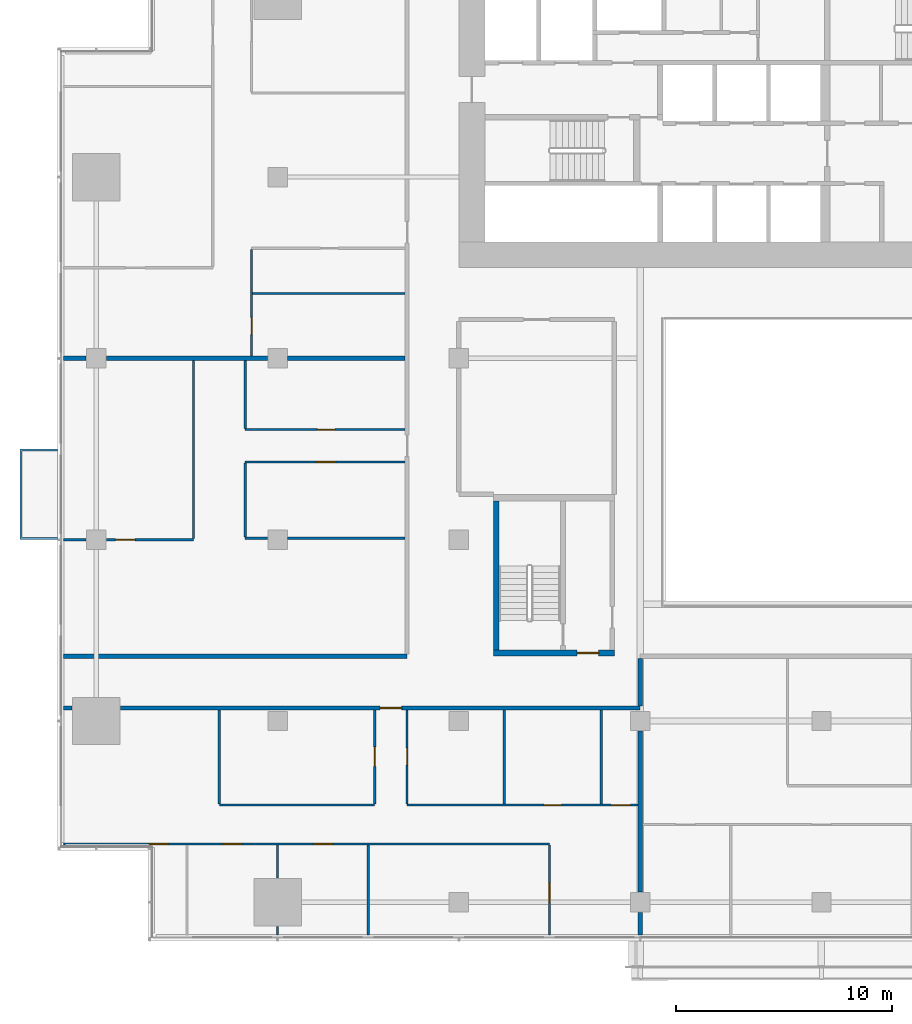
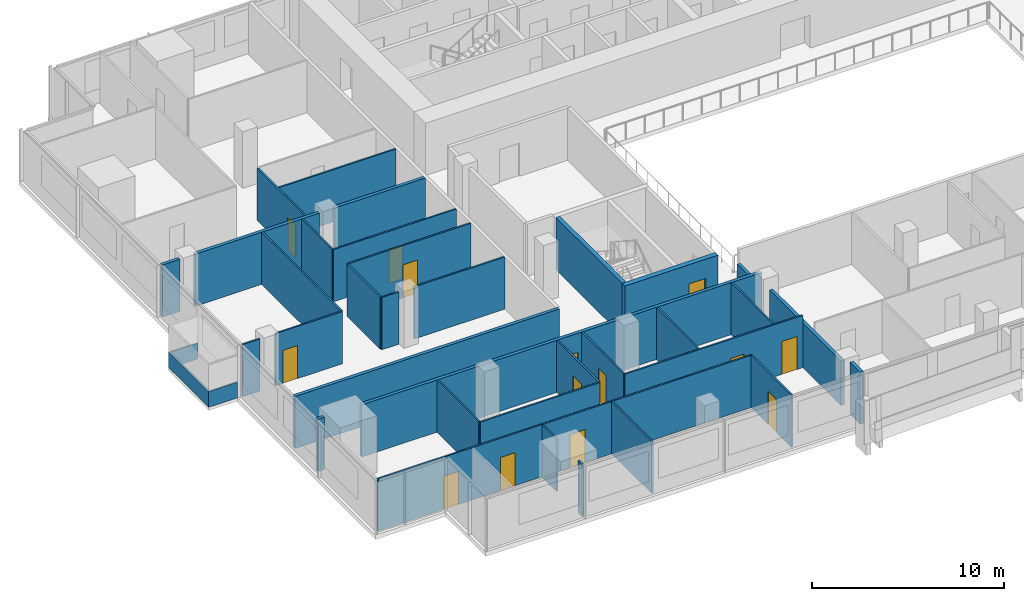
# One storey, part 17 of 26: 35 walls, 14 doors, 14 openings.
"""IFC4 building model written with IfcOpenShell, lengths in metres."""

from ifc_helpers import new_model, si_unit, direction, frame, frame_2d, origin, place, context, subcontext, project, spatial, polyline, rectangle, outline, extrude, material, layer, layer_set, type_object, element, fill, save


model = new_model("IFC4")

# Units and contexts
model_context = context("Model", 3, precision=1e-05, world=origin(), true_north=direction((0.0, 1.0)))
body_context = subcontext(model_context, "Body", "Model", "MODEL_VIEW")
ifc_project = project(units=[si_unit("LENGTHUNIT", "METRE"), si_unit("AREAUNIT", "SQUARE_METRE"), si_unit("VOLUMEUNIT", "CUBIC_METRE"), si_unit("PLANEANGLEUNIT", "RADIAN"), si_unit("MASSUNIT", "GRAM", prefix="KILO")], contexts=[model_context])

# Site, building, storey
site_placement = place(None, origin())
site = spatial("IfcSite", under=ifc_project, at=site_placement, CompositionType="ELEMENT")
building_placement = place(site_placement, origin())
building = spatial("IfcBuilding", under=site, at=building_placement, Name="Saffron Gate Tower", CompositionType="ELEMENT")
storey_placement = place(building_placement, frame((0.0, 0.0, 62.39990234375)))
storey = spatial("IfcBuildingStorey", under=building, at=storey_placement, Name="L14", CompositionType="ELEMENT", Elevation=62.39990234375)

# Wall
ifc_material_1 = material(Name="Concrete C70", Category="concrete")
ifc_layer_1 = layer(ifc_material_1, 0.25)
ifc_layer_set_1 = layer_set([ifc_layer_1], Name="CW2 RC core wall 250 C70")
wall_type_1 = type_object("IfcWallType", Name="CW2 RC core wall 250 C70", PredefinedType="SOLIDWALL", material=ifc_layer_set_1)
wall_1_placement = place(storey_placement, frame((68.324951171875, 43.5, 0.0), z_axis=(0.0, 0.0, 1.0), x_axis=(0.0, 1.0, 0.0)))
element("IfcWall", 1, at=wall_1_placement, inside=storey, type_object=wall_type_1, Name="Wall CW2-L14-D-2", PredefinedType="SOLIDWALL", context=body_context, shape_type="SweptSolid", body=[
    extrude(rectangle(XDim=6.89990234375, YDim=0.25, at=frame_2d((3.449951171875, 0.0))), origin(), (0.0, 0.0, 1.0), 3.320068359375),
])

# Wall, opening, door
ifc_layer_2 = layer(ifc_material_1, 0.300048828125)
ifc_layer_set_2 = layer_set([ifc_layer_2], Name="CW5 RC core wall 300 C70")
wall_type_2 = type_object("IfcWallType", Name="CW5 RC core wall 300 C70", PredefinedType="SOLIDWALL", material=ifc_layer_set_2)
wall_2_placement = place(storey_placement, frame((68.199951171875, 43.35009765625, 0.0), z_axis=(0.0, 0.0, 1.0), x_axis=(1.0, 0.0, 0.0)))
wall_2 = element("IfcWall", 2, at=wall_2_placement, inside=storey, type_object=wall_type_2, Name="Wall CW5-L14-D-1", PredefinedType="SOLIDWALL", context=body_context, shape_type="SweptSolid", body=[
    extrude(rectangle(XDim=5.60009765625, YDim=0.300048828125, at=frame_2d((2.800048828125, 0.0))), origin(), (0.0, 0.0, 1.0), 3.320068359375),
])
opening_1_placement = place(wall_2_placement, frame((3.875, 0.0, 0.0)))
opening_1 = element("IfcOpeningElement", 3, at=opening_1_placement, cuts=wall_2, Name="Opening CR-18", PredefinedType="OPENING", context=body_context, shape_type="SweptSolid", body=[
    extrude(rectangle(XDim=1.0, YDim=2.10009765625, at=frame_2d((0.5, 1.050048828125))), frame((0.0, 0.16015625, 0.0), z_axis=(0.0, -1.0, 0.0), x_axis=(1.0, 0.0, 0.0)), (0.0, 0.0, 1.0), 0.320068359375),
])
ifc_material_2 = material(Name="Steel fire door set", Category="steel")
door_type_1 = type_object("IfcDoorType", Name="CD4 Lobby door 1000x2100 EI 120", OperationType="NOTDEFINED", PredefinedType="DOOR", material=ifc_material_2)
door_1_placement = place(opening_1_placement, origin())
door_1 = element("IfcDoor", 4, at=door_1_placement, inside=storey, type_object=door_type_1, Name="DOOR CR-18", OperationType="SINGLE_SWING_RIGHT", OverallHeight=2.10009765625, OverallWidth=1.0, PredefinedType="DOOR", context=body_context, shape_type="SweptSolid", body=[
    extrude(rectangle(XDim=1.0, YDim=2.10009765625, at=frame_2d((0.5, 1.050048828125))), frame((0.0, 0.02490234375, 0.0), z_axis=(0.0, -1.0, 0.0), x_axis=(1.0, 0.0, 0.0)), (0.0, 0.0, 1.0), 0.050048828125),
])
fill(opening_1, door_1)

# Wall, openings, doors
ifc_material_3 = material(Name="Plasterboard on steel studs", Category="steel")
ifc_layer_3 = layer(ifc_material_3, 0.10009765625)
ifc_layer_set_3 = layer_set([ifc_layer_3], Name="PW1 Partition 100")
wall_type_3 = type_object("IfcWallType", Name="PW1 Partition 100", PredefinedType="PARTITIONING", material=ifc_layer_set_3)
wall_3_placement = place(storey_placement, frame((70.800048828125, 34.5, 0.0), z_axis=(0.0, 0.0, 1.0), x_axis=(-1.0, 0.0, 0.0)))
wall_3 = element("IfcWall", 5, at=wall_3_placement, inside=storey, type_object=wall_type_3, Name="Partition A3-1", PredefinedType="PARTITIONING", context=body_context, shape_type="SweptSolid", body=[
    extrude(rectangle(XDim=22.52001953125, YDim=0.10009765625, at=frame_2d((11.260009765625, 0.0))), origin(), (0.0, 0.0, 1.0), 3.320068359375),
])
opening_2_placement = place(wall_3_placement, frame((10.050048828125, 0.0, 0.0)))
opening_2 = element("IfcOpeningElement", 6, at=opening_2_placement, cuts=wall_3, Name="Opening A3-10", PredefinedType="OPENING", context=body_context, shape_type="SweptSolid", body=[
    extrude(rectangle(XDim=0.89990234375, YDim=2.10009765625, at=frame_2d((0.449951171875, 1.050048828125))), frame((0.0, 0.06005859375, 0.0), z_axis=(0.0, -1.0, 0.0), x_axis=(1.0, 0.0, 0.0)), (0.0, 0.0, 1.0), 0.1201171875),
])
opening_3_placement = place(wall_3_placement, frame((14.25, 0.0, 0.0)))
opening_3 = element("IfcOpeningElement", 7, at=opening_3_placement, cuts=wall_3, Name="Opening A3-9", PredefinedType="OPENING", context=body_context, shape_type="SweptSolid", body=[
    extrude(rectangle(XDim=0.89990234375, YDim=2.10009765625, at=frame_2d((0.449951171875, 1.050048828125))), frame((0.0, 0.06005859375, 0.0), z_axis=(0.0, -1.0, 0.0), x_axis=(1.0, 0.0, 0.0)), (0.0, 0.0, 1.0), 0.1201171875),
])
opening_4_placement = place(wall_3_placement, frame((17.65380859375, 0.0, 0.0)))
opening_4 = element("IfcOpeningElement", 8, at=opening_4_placement, cuts=wall_3, Name="Opening A3-8", PredefinedType="OPENING", context=body_context, shape_type="SweptSolid", body=[
    extrude(rectangle(XDim=0.89990234375, YDim=2.10009765625, at=frame_2d((0.449951171875, 1.050048828125))), frame((0.0, 0.06005859375, 0.0), z_axis=(0.0, -1.0, 0.0), x_axis=(1.0, 0.0, 0.0)), (0.0, 0.0, 1.0), 0.1201171875),
])
ifc_material_4 = material(Name="Timber door set", Category="wood")
door_type_2 = type_object("IfcDoorType", Name="RD1 Room door 900x2100", OperationType="NOTDEFINED", PredefinedType="DOOR", material=ifc_material_4)
door_2_placement = place(opening_2_placement, origin())
door_2 = element("IfcDoor", 9, at=door_2_placement, inside=storey, type_object=door_type_2, Name="Door A3-10", OperationType="SINGLE_SWING_RIGHT", OverallHeight=2.10009765625, OverallWidth=0.89990234375, PredefinedType="DOOR", context=body_context, shape_type="SweptSolid", body=[
    extrude(rectangle(XDim=0.89990234375, YDim=2.10009765625, at=frame_2d((0.449951171875, 1.050048828125))), frame((0.0, 0.02490234375, 0.0), z_axis=(0.0, -1.0, 0.0), x_axis=(1.0, 0.0, 0.0)), (0.0, 0.0, 1.0), 0.050048828125),
])
fill(opening_2, door_2)
door_3_placement = place(opening_3_placement, origin())
door_3 = element("IfcDoor", 10, at=door_3_placement, inside=storey, type_object=door_type_2, Name="Door A3-9", OperationType="SINGLE_SWING_RIGHT", OverallHeight=2.10009765625, OverallWidth=0.89990234375, PredefinedType="DOOR", context=body_context, shape_type="SweptSolid", body=[
    extrude(rectangle(XDim=0.89990234375, YDim=2.10009765625, at=frame_2d((0.449951171875, 1.050048828125))), frame((0.0, 0.02490234375, 0.0), z_axis=(0.0, -1.0, 0.0), x_axis=(1.0, 0.0, 0.0)), (0.0, 0.0, 1.0), 0.050048828125),
])
fill(opening_3, door_3)
door_4_placement = place(opening_4_placement, origin())
door_4 = element("IfcDoor", 11, at=door_4_placement, inside=storey, type_object=door_type_2, Name="Door A3-8", OperationType="SINGLE_SWING_LEFT", OverallHeight=2.10009765625, OverallWidth=0.89990234375, PredefinedType="DOOR", context=body_context, shape_type="SweptSolid", body=[
    extrude(rectangle(XDim=0.89990234375, YDim=2.10009765625, at=frame_2d((0.449951171875, 1.050048828125))), frame((0.0, 0.02490234375, 0.0), z_axis=(0.0, -1.0, 0.0), x_axis=(1.0, 0.0, 0.0)), (0.0, 0.0, 1.0), 0.050048828125),
])
fill(opening_4, door_4)

# Wall
wall_4_placement = place(storey_placement, frame((55.5, 36.300048828125, 0.0), z_axis=(0.0, 0.0, 1.0), x_axis=(1.0, 0.0, 0.0)))
element("IfcWall", 12, at=wall_4_placement, inside=storey, type_object=wall_type_3, Name="Partition A3-5", PredefinedType="PARTITIONING", context=body_context, shape_type="SweptSolid", body=[
    extrude(rectangle(XDim=7.199951171875, YDim=0.10009765625, at=frame_2d((3.60009765625, 0.0))), origin(), (0.0, 0.0, 1.0), 3.320068359375),
])

# Wall, openings, doors
wall_5_placement = place(storey_placement, frame((64.199951171875, 36.300048828125, 0.0), z_axis=(0.0, 0.0, 1.0), x_axis=(1.0, 0.0, 0.0)))
wall_5 = element("IfcWall", 13, at=wall_5_placement, inside=storey, type_object=wall_type_3, Name="Partition A3-6", PredefinedType="PARTITIONING", context=body_context, shape_type="SweptSolid", body=[
    extrude(rectangle(XDim=10.699951171875, YDim=0.10009765625, at=frame_2d((5.35009765625, 0.0))), origin(), (0.0, 0.0, 1.0), 3.320068359375),
])
opening_5_placement = place(wall_5_placement, frame((6.35009765625, 0.0, 0.0)))
opening_5 = element("IfcOpeningElement", 14, at=opening_5_placement, cuts=wall_5, Name="Opening A3-38", PredefinedType="OPENING", context=body_context, shape_type="SweptSolid", body=[
    extrude(rectangle(XDim=0.800048828125, YDim=2.10009765625, at=frame_2d((0.39990234375, 1.050048828125))), frame((0.0, 0.06005859375, 0.0), z_axis=(0.0, -1.0, 0.0), x_axis=(1.0, 0.0, 0.0)), (0.0, 0.0, 1.0), 0.1201171875),
])
opening_6_placement = place(wall_5_placement, frame((9.449951171875, 0.0, 0.0)))
opening_6 = element("IfcOpeningElement", 15, at=opening_6_placement, cuts=wall_5, Name="Opening A3-13", PredefinedType="OPENING", context=body_context, shape_type="SweptSolid", body=[
    extrude(rectangle(XDim=0.89990234375, YDim=2.10009765625, at=frame_2d((0.449951171875, 1.050048828125))), frame((0.0, 0.06005859375, 0.0), z_axis=(0.0, -1.0, 0.0), x_axis=(1.0, 0.0, 0.0)), (0.0, 0.0, 1.0), 0.1201171875),
])
door_5_placement = place(opening_6_placement, origin())
door_5 = element("IfcDoor", 16, at=door_5_placement, inside=storey, type_object=door_type_2, Name="Door A3-13", OperationType="SINGLE_SWING_RIGHT", OverallHeight=2.10009765625, OverallWidth=0.89990234375, PredefinedType="DOOR", context=body_context, shape_type="SweptSolid", body=[
    extrude(rectangle(XDim=0.89990234375, YDim=2.10009765625, at=frame_2d((0.449951171875, 1.050048828125))), frame((0.0, 0.02490234375, 0.0), z_axis=(0.0, -1.0, 0.0), x_axis=(1.0, 0.0, 0.0)), (0.0, 0.0, 1.0), 0.050048828125),
])
fill(opening_6, door_5)
door_type_3 = type_object("IfcDoorType", Name="RD2 Bathroom door 800x2100", OperationType="NOTDEFINED", PredefinedType="DOOR", material=ifc_material_4)
door_6_placement = place(opening_5_placement, origin())
door_6 = element("IfcDoor", 17, at=door_6_placement, inside=storey, type_object=door_type_3, Name="Door A3-38", OperationType="SINGLE_SWING_LEFT", OverallHeight=2.10009765625, OverallWidth=0.800048828125, PredefinedType="DOOR", context=body_context, shape_type="SweptSolid", body=[
    extrude(rectangle(XDim=0.800048828125, YDim=2.10009765625, at=frame_2d((0.39990234375, 1.050048828125))), frame((0.0, 0.02490234375, 0.0), z_axis=(0.0, -1.0, 0.0), x_axis=(1.0, 0.0, 0.0)), (0.0, 0.0, 1.0), 0.050048828125),
])
fill(opening_5, door_6)

# Wall
wall_6_placement = place(storey_placement, frame((48.280029296875, 48.60009765625, 0.0), z_axis=(0.0, 0.0, 1.0), x_axis=(1.0, 0.0, 0.0)))
element("IfcWall", 18, at=wall_6_placement, inside=storey, type_object=wall_type_3, Name="Partition A3-19", PredefinedType="PARTITIONING", context=body_context, shape_type="SweptSolid", body=[
    extrude(rectangle(XDim=1.050048828125, YDim=0.10009765625, at=frame_2d((0.52490234375, 0.0))), origin(), (0.0, 0.0, 1.0), 3.320068359375),
])

# Wall, opening, door
wall_7_placement = place(storey_placement, frame((50.27001953125, 48.60009765625, 0.0), z_axis=(0.0, 0.0, 1.0), x_axis=(1.0, 0.0, 0.0)))
wall_7 = element("IfcWall", 19, at=wall_7_placement, inside=storey, type_object=wall_type_3, Name="Partition A3-20", PredefinedType="PARTITIONING", context=body_context, shape_type="SweptSolid", body=[
    extrude(rectangle(XDim=4.030029296875, YDim=0.10009765625, at=frame_2d((2.01513671875, 0.0))), origin(), (0.0, 0.0, 1.0), 3.320068359375),
])
opening_7_placement = place(wall_7_placement, frame((0.429931640625, 0.0, 0.0)))
opening_7 = element("IfcOpeningElement", 20, at=opening_7_placement, cuts=wall_7, Name="Opening A3-25", PredefinedType="OPENING", context=body_context, shape_type="SweptSolid", body=[
    extrude(rectangle(XDim=0.89990234375, YDim=2.10009765625, at=frame_2d((0.449951171875, 1.050048828125))), frame((0.0, 0.06005859375, 0.0), z_axis=(0.0, -1.0, 0.0), x_axis=(1.0, 0.0, 0.0)), (0.0, 0.0, 1.0), 0.1201171875),
])
door_7_placement = place(opening_7_placement, origin())
door_7 = element("IfcDoor", 21, at=door_7_placement, inside=storey, type_object=door_type_2, Name="Door A3-25", OperationType="SINGLE_SWING_LEFT", OverallHeight=2.10009765625, OverallWidth=0.89990234375, PredefinedType="DOOR", context=body_context, shape_type="SweptSolid", body=[
    extrude(rectangle(XDim=0.89990234375, YDim=2.10009765625, at=frame_2d((0.449951171875, 1.050048828125))), frame((0.0, 0.02490234375, 0.0), z_axis=(0.0, -1.0, 0.0), x_axis=(1.0, 0.0, 0.0)), (0.0, 0.0, 1.0), 0.050048828125),
])
fill(opening_7, door_7)

# Walls
wall_8_placement = place(storey_placement, frame((56.699951171875, 48.666748046875, 0.0), z_axis=(0.0, 0.0, 1.0), x_axis=(1.0, 0.0, 0.0)))
element("IfcWall", 22, at=wall_8_placement, inside=storey, type_object=wall_type_3, Name="Partition A3-23", PredefinedType="PARTITIONING", context=body_context, shape_type="SweptSolid", body=[
    extrude(rectangle(XDim=1.030029296875, YDim=0.10009765625, at=frame_2d((0.51513671875, 0.0))), origin(), (0.0, 0.0, 1.0), 3.320068359375),
])
wall_9_placement = place(storey_placement, frame((58.669921875, 48.666748046875, 0.0), z_axis=(0.0, 0.0, 1.0), x_axis=(1.0, 0.0, 0.0)))
element("IfcWall", 23, at=wall_9_placement, inside=storey, type_object=wall_type_3, Name="Partition A3-24", PredefinedType="PARTITIONING", context=body_context, shape_type="SweptSolid", body=[
    extrude(rectangle(XDim=5.43017578125, YDim=0.10009765625, at=frame_2d((2.715087890625, 0.0))), origin(), (0.0, 0.0, 1.0), 3.320068359375),
])

# Wall, opening, door
wall_10_placement = place(storey_placement, frame((64.10009765625, 52.199951171875, 0.0), z_axis=(0.0, 0.0, 1.0), x_axis=(-1.0, 0.0, 0.0)))
wall_10 = element("IfcWall", 24, at=wall_10_placement, inside=storey, type_object=wall_type_3, Name="Partition A3-29", PredefinedType="PARTITIONING", context=body_context, shape_type="SweptSolid", body=[
    extrude(rectangle(XDim=7.400146484375, YDim=0.10009765625, at=frame_2d((3.7001953125, 0.0))), origin(), (0.0, 0.0, 1.0), 3.320068359375),
])
opening_8_placement = place(wall_10_placement, frame((3.199951171875, 0.0, 0.0)))
opening_8 = element("IfcOpeningElement", 25, at=opening_8_placement, cuts=wall_10, Name="Opening A3-26", PredefinedType="OPENING", context=body_context, shape_type="SweptSolid", body=[
    extrude(rectangle(XDim=0.89990234375, YDim=2.10009765625, at=frame_2d((0.449951171875, 1.050048828125))), frame((0.0, 0.06005859375, 0.0), z_axis=(0.0, -1.0, 0.0), x_axis=(1.0, 0.0, 0.0)), (0.0, 0.0, 1.0), 0.1201171875),
])
door_8_placement = place(opening_8_placement, origin())
door_8 = element("IfcDoor", 26, at=door_8_placement, inside=storey, type_object=door_type_2, Name="Door A3-26", OperationType="SINGLE_SWING_LEFT", OverallHeight=2.10009765625, OverallWidth=0.89990234375, PredefinedType="DOOR", context=body_context, shape_type="SweptSolid", body=[
    extrude(rectangle(XDim=0.89990234375, YDim=2.10009765625, at=frame_2d((0.449951171875, 1.050048828125))), frame((0.0, 0.02490234375, 0.0), z_axis=(0.0, -1.0, 0.0), x_axis=(1.0, 0.0, 0.0)), (0.0, 0.0, 1.0), 0.050048828125),
])
fill(opening_8, door_8)

wall_11_placement = place(storey_placement, frame((56.699951171875, 53.699951171875, 0.0), z_axis=(0.0, 0.0, 1.0), x_axis=(1.0, 0.0, 0.0)))
wall_11 = element("IfcWall", 27, at=wall_11_placement, inside=storey, type_object=wall_type_3, Name="Partition A3-31", PredefinedType="PARTITIONING", context=body_context, shape_type="SweptSolid", body=[
    extrude(rectangle(XDim=7.400146484375, YDim=0.10009765625, at=frame_2d((3.7001953125, 0.0))), origin(), (0.0, 0.0, 1.0), 3.320068359375),
])
opening_9_placement = place(wall_11_placement, frame((3.35009765625, 0.0, 0.0)))
opening_9 = element("IfcOpeningElement", 28, at=opening_9_placement, cuts=wall_11, Name="Opening A3-43", PredefinedType="OPENING", context=body_context, shape_type="SweptSolid", body=[
    extrude(rectangle(XDim=0.800048828125, YDim=2.10009765625, at=frame_2d((0.39990234375, 1.050048828125))), frame((0.0, 0.06005859375, 0.0), z_axis=(0.0, -1.0, 0.0), x_axis=(1.0, 0.0, 0.0)), (0.0, 0.0, 1.0), 0.1201171875),
])
door_9_placement = place(opening_9_placement, origin())
door_9 = element("IfcDoor", 29, at=door_9_placement, inside=storey, type_object=door_type_3, Name="Door A3-43", OperationType="SINGLE_SWING_RIGHT", OverallHeight=2.10009765625, OverallWidth=0.800048828125, PredefinedType="DOOR", context=body_context, shape_type="SweptSolid", body=[
    extrude(rectangle(XDim=0.800048828125, YDim=2.10009765625, at=frame_2d((0.39990234375, 1.050048828125))), frame((0.0, 0.02490234375, 0.0), z_axis=(0.0, -1.0, 0.0), x_axis=(1.0, 0.0, 0.0)), (0.0, 0.0, 1.0), 0.050048828125),
])
fill(opening_9, door_9)

# Walls
wall_12_placement = place(storey_placement, frame((57.050048828125, 60.0, 0.0), z_axis=(0.0, 0.0, 1.0), x_axis=(1.0, 0.0, 0.0)))
element("IfcWall", 30, at=wall_12_placement, inside=storey, type_object=wall_type_3, Name="Partition A3-41", PredefinedType="PARTITIONING", context=body_context, shape_type="SweptSolid", body=[
    extrude(rectangle(XDim=7.050048828125, YDim=0.10009765625, at=frame_2d((3.52490234375, 0.0))), origin(), (0.0, 0.0, 1.0), 3.320068359375),
])
wall_13_placement = place(storey_placement, frame((54.300048828125, 56.89990234375, 0.0), z_axis=(0.0, 0.0, 1.0), x_axis=(0.0, -1.0, 0.0)))
element("IfcWall", 31, at=wall_13_placement, inside=storey, type_object=wall_type_3, Name="Partition A3-52", PredefinedType="PARTITIONING", context=body_context, shape_type="SweptSolid", body=[
    extrude(rectangle(XDim=8.25, YDim=0.10009765625, at=frame_2d((4.125, 0.0))), origin(), (0.0, 0.0, 1.0), 3.320068359375),
])
wall_14_placement = place(storey_placement, frame((55.5, 40.699951171875, 0.0), z_axis=(0.0, 0.0, 1.0), x_axis=(0.0, -1.0, 0.0)))
element("IfcWall", 32, at=wall_14_placement, inside=storey, type_object=wall_type_3, Name="Partition A3-54", PredefinedType="PARTITIONING", context=body_context, shape_type="SweptSolid", body=[
    extrude(rectangle(XDim=4.349853515625, YDim=0.10009765625, at=frame_2d((2.1748046875, 0.0))), origin(), (0.0, 0.0, 1.0), 3.320068359375),
])
wall_15_placement = place(storey_placement, frame((56.699951171875, 52.14990234375, 0.0), z_axis=(0.0, 0.0, 1.0), x_axis=(0.0, -1.0, 0.0)))
element("IfcWall", 33, at=wall_15_placement, inside=storey, type_object=wall_type_3, Name="Partition A3-55", PredefinedType="PARTITIONING", context=body_context, shape_type="SweptSolid", body=[
    extrude(rectangle(XDim=3.43310546875, YDim=0.10009765625, at=frame_2d((1.716552734375, 0.0))), origin(), (0.0, 0.0, 1.0), 3.320068359375),
])
wall_16_placement = place(storey_placement, frame((56.699951171875, 56.89990234375, 0.0), z_axis=(0.0, 0.0, 1.0), x_axis=(0.0, -1.0, 0.0)))
element("IfcWall", 34, at=wall_16_placement, inside=storey, type_object=wall_type_3, Name="Partition A3-56", PredefinedType="PARTITIONING", context=body_context, shape_type="SweptSolid", body=[
    extrude(rectangle(XDim=3.14990234375, YDim=0.10009765625, at=frame_2d((1.574951171875, 0.0))), origin(), (0.0, 0.0, 1.0), 3.320068359375),
])

# Wall, opening, door
wall_17_placement = place(storey_placement, frame((57.0, 62.050048828125, 0.0), z_axis=(0.0, 0.0, 1.0), x_axis=(0.0, -1.0, 0.0)))
wall_17 = element("IfcWall", 35, at=wall_17_placement, inside=storey, type_object=wall_type_3, Name="Partition A3-57", PredefinedType="PARTITIONING", context=body_context, shape_type="SweptSolid", body=[
    extrude(rectangle(XDim=4.949951171875, YDim=0.10009765625, at=frame_2d((2.47509765625, 0.0))), origin(), (0.0, 0.0, 1.0), 3.320068359375),
])
opening_10_placement = place(wall_17_placement, frame((3.14990234375, 0.0, 0.0)))
opening_10 = element("IfcOpeningElement", 36, at=opening_10_placement, cuts=wall_17, Name="Opening A3-44", PredefinedType="OPENING", context=body_context, shape_type="SweptSolid", body=[
    extrude(rectangle(XDim=0.800048828125, YDim=2.10009765625, at=frame_2d((0.39990234375, 1.050048828125))), frame((0.0, 0.06005859375, 0.0), z_axis=(0.0, -1.0, 0.0), x_axis=(1.0, 0.0, 0.0)), (0.0, 0.0, 1.0), 0.1201171875),
])
door_10_placement = place(opening_10_placement, origin())
door_10 = element("IfcDoor", 37, at=door_10_placement, inside=storey, type_object=door_type_3, Name="Door A3-44", OperationType="SINGLE_SWING_RIGHT", OverallHeight=2.10009765625, OverallWidth=0.800048828125, PredefinedType="DOOR", context=body_context, shape_type="SweptSolid", body=[
    extrude(rectangle(XDim=0.800048828125, YDim=2.10009765625, at=frame_2d((0.39990234375, 1.050048828125))), frame((0.0, 0.02490234375, 0.0), z_axis=(0.0, -1.0, 0.0), x_axis=(1.0, 0.0, 0.0)), (0.0, 0.0, 1.0), 0.050048828125),
])
fill(opening_10, door_10)

# Walls
wall_18_placement = place(storey_placement, frame((58.199951171875, 30.679931640625, 0.0), z_axis=(0.0, 0.0, 1.0), x_axis=(0.0, -1.0, 0.0)))
element("IfcWall", 38, at=wall_18_placement, inside=storey, type_object=wall_type_3, Name="Partition A3-59", PredefinedType="PARTITIONING", context=body_context, shape_type="SweptSolid", body=[
    extrude(rectangle(XDim=0.39990234375, YDim=0.10009765625, at=frame_2d((0.199951171875, 0.0))), origin(), (0.0, 0.0, 1.0), 3.320068359375),
])
wall_19_placement = place(storey_placement, frame((58.199951171875, 34.449951171875, 0.0), z_axis=(0.0, 0.0, 1.0), x_axis=(0.0, -1.0, 0.0)))
element("IfcWall", 39, at=wall_19_placement, inside=storey, type_object=wall_type_3, Name="Partition A3-60", PredefinedType="PARTITIONING", context=body_context, shape_type="SweptSolid", body=[
    extrude(rectangle(XDim=1.530029296875, YDim=0.10009765625, at=frame_2d((0.76513671875, 0.0))), origin(), (0.0, 0.0, 1.0), 3.320068359375),
])
wall_20_placement = place(storey_placement, frame((62.39990234375, 34.449951171875, 0.0), z_axis=(0.0, 0.0, 1.0), x_axis=(0.0, -1.0, 0.0)))
element("IfcWall", 40, at=wall_20_placement, inside=storey, type_object=wall_type_3, Name="Partition A3-61", PredefinedType="PARTITIONING", context=body_context, shape_type="SweptSolid", body=[
    extrude(rectangle(XDim=4.169921875, YDim=0.10009765625, at=frame_2d((2.0849609375, 0.0))), origin(), (0.0, 0.0, 1.0), 3.320068359375),
])

# Wall, opening, door
wall_21_placement = place(storey_placement, frame((62.699951171875, 36.35009765625, 0.0), z_axis=(0.0, 0.0, 1.0), x_axis=(0.0, 1.0, 0.0)))
wall_21 = element("IfcWall", 41, at=wall_21_placement, inside=storey, type_object=wall_type_3, Name="Partition A3-62", PredefinedType="PARTITIONING", context=body_context, shape_type="SweptSolid", body=[
    extrude(rectangle(XDim=4.349853515625, YDim=0.10009765625, at=frame_2d((2.1748046875, 0.0))), origin(), (0.0, 0.0, 1.0), 3.320068359375),
])
opening_11_placement = place(wall_21_placement, frame((1.75, 0.0, 0.0)))
opening_11 = element("IfcOpeningElement", 42, at=opening_11_placement, cuts=wall_21, Name="Opening A3-12", PredefinedType="OPENING", context=body_context, shape_type="SweptSolid", body=[
    extrude(rectangle(XDim=0.89990234375, YDim=2.10009765625, at=frame_2d((0.449951171875, 1.050048828125))), frame((0.0, 0.06005859375, 0.0), z_axis=(0.0, -1.0, 0.0), x_axis=(1.0, 0.0, 0.0)), (0.0, 0.0, 1.0), 0.1201171875),
])
door_11_placement = place(opening_11_placement, origin())
door_11 = element("IfcDoor", 43, at=door_11_placement, inside=storey, type_object=door_type_2, Name="Door A3-12", OperationType="SINGLE_SWING_RIGHT", OverallHeight=2.10009765625, OverallWidth=0.89990234375, PredefinedType="DOOR", context=body_context, shape_type="SweptSolid", body=[
    extrude(rectangle(XDim=0.89990234375, YDim=2.10009765625, at=frame_2d((0.449951171875, 1.050048828125))), frame((0.0, 0.02490234375, 0.0), z_axis=(0.0, -1.0, 0.0), x_axis=(1.0, 0.0, 0.0)), (0.0, 0.0, 1.0), 0.050048828125),
])
fill(opening_11, door_11)

wall_22_placement = place(storey_placement, frame((64.199951171875, 40.699951171875, 0.0), z_axis=(0.0, 0.0, 1.0), x_axis=(0.0, -1.0, 0.0)))
wall_22 = element("IfcWall", 44, at=wall_22_placement, inside=storey, type_object=wall_type_3, Name="Partition A3-64", PredefinedType="PARTITIONING", context=body_context, shape_type="SweptSolid", body=[
    extrude(rectangle(XDim=4.349853515625, YDim=0.10009765625, at=frame_2d((2.1748046875, 0.0))), origin(), (0.0, 0.0, 1.0), 3.320068359375),
])
opening_12_placement = place(wall_22_placement, frame((1.75, 0.0, 0.0)))
opening_12 = element("IfcOpeningElement", 45, at=opening_12_placement, cuts=wall_22, Name="Opening A3-37", PredefinedType="OPENING", context=body_context, shape_type="SweptSolid", body=[
    extrude(rectangle(XDim=0.800048828125, YDim=2.10009765625, at=frame_2d((0.39990234375, 1.050048828125))), frame((0.0, 0.06005859375, 0.0), z_axis=(0.0, -1.0, 0.0), x_axis=(1.0, 0.0, 0.0)), (0.0, 0.0, 1.0), 0.1201171875),
])
door_12_placement = place(opening_12_placement, origin())
door_12 = element("IfcDoor", 46, at=door_12_placement, inside=storey, type_object=door_type_3, Name="Door A3-37", OperationType="SINGLE_SWING_LEFT", OverallHeight=2.10009765625, OverallWidth=0.800048828125, PredefinedType="DOOR", context=body_context, shape_type="SweptSolid", body=[
    extrude(rectangle(XDim=0.800048828125, YDim=2.10009765625, at=frame_2d((0.39990234375, 1.050048828125))), frame((0.0, 0.02490234375, 0.0), z_axis=(0.0, -1.0, 0.0), x_axis=(1.0, 0.0, 0.0)), (0.0, 0.0, 1.0), 0.050048828125),
])
fill(opening_12, door_12)

# Wall
wall_23_placement = place(storey_placement, frame((68.699951171875, 40.699951171875, 0.0), z_axis=(0.0, 0.0, 1.0), x_axis=(0.0, -1.0, 0.0)))
element("IfcWall", 47, at=wall_23_placement, inside=storey, type_object=wall_type_3, Name="Partition A3-67", PredefinedType="PARTITIONING", context=body_context, shape_type="SweptSolid", body=[
    extrude(rectangle(XDim=4.349853515625, YDim=0.10009765625, at=frame_2d((2.1748046875, 0.0))), origin(), (0.0, 0.0, 1.0), 3.320068359375),
])

# Wall, opening, door
wall_24_placement = place(storey_placement, frame((70.800048828125, 30.280029296875, 0.0), z_axis=(0.0, 0.0, 1.0), x_axis=(0.0, 1.0, 0.0)))
wall_24 = element("IfcWall", 48, at=wall_24_placement, inside=storey, type_object=wall_type_3, Name="Partition A3-68", PredefinedType="PARTITIONING", context=body_context, shape_type="SweptSolid", body=[
    extrude(rectangle(XDim=4.169921875, YDim=0.10009765625, at=frame_2d((2.0849609375, 0.0))), origin(), (0.0, 0.0, 1.0), 3.320068359375),
])
opening_13_placement = place(wall_24_placement, frame((1.52001953125, 0.0, 0.0)))
opening_13 = element("IfcOpeningElement", 49, at=opening_13_placement, cuts=wall_24, Name="Opening A3-11", PredefinedType="OPENING", context=body_context, shape_type="SweptSolid", body=[
    extrude(rectangle(XDim=0.89990234375, YDim=2.10009765625, at=frame_2d((0.449951171875, 1.050048828125))), frame((0.0, 0.06005859375, 0.0), z_axis=(0.0, -1.0, 0.0), x_axis=(1.0, 0.0, 0.0)), (0.0, 0.0, 1.0), 0.1201171875),
])
door_13_placement = place(opening_13_placement, origin())
door_13 = element("IfcDoor", 50, at=door_13_placement, inside=storey, type_object=door_type_2, Name="Door A3-11", OperationType="SINGLE_SWING_LEFT", OverallHeight=2.10009765625, OverallWidth=0.89990234375, PredefinedType="DOOR", context=body_context, shape_type="SweptSolid", body=[
    extrude(rectangle(XDim=0.89990234375, YDim=2.10009765625, at=frame_2d((0.449951171875, 1.050048828125))), frame((0.0, 0.02490234375, 0.0), z_axis=(0.0, -1.0, 0.0), x_axis=(1.0, 0.0, 0.0)), (0.0, 0.0, 1.0), 0.050048828125),
])
fill(opening_13, door_13)

# Walls
wall_25_placement = place(storey_placement, frame((73.199951171875, 40.699951171875, 0.0), z_axis=(0.0, 0.0, 1.0), x_axis=(0.0, -1.0, 0.0)))
element("IfcWall", 51, at=wall_25_placement, inside=storey, type_object=wall_type_3, Name="Partition A3-69", PredefinedType="PARTITIONING", context=body_context, shape_type="SweptSolid", body=[
    extrude(rectangle(XDim=4.349853515625, YDim=0.10009765625, at=frame_2d((2.1748046875, 0.0))), origin(), (0.0, 0.0, 1.0), 3.320068359375),
])
ifc_material_5 = material(Name="Clay brick masonry, rendered", Category="masonry")
ifc_layer_4 = layer(ifc_material_5, 0.199951171875)
ifc_layer_set_4 = layer_set([ifc_layer_4], Name="PW2 Demising wall 200")
wall_type_4 = type_object("IfcWallType", Name="PW2 Demising wall 200", PredefinedType="PARTITIONING", material=ifc_layer_set_4)
wall_26_placement = place(storey_placement, frame((48.280029296875, 57.0, 0.0), z_axis=(0.0, 0.0, 1.0), x_axis=(1.0, 0.0, 0.0)))
element("IfcWall", 52, at=wall_26_placement, inside=storey, type_object=wall_type_4, Name="Wall A3-33", PredefinedType="PARTITIONING", context=body_context, shape_type="SweptSolid", body=[
    extrude(rectangle(XDim=1.050048828125, YDim=0.199951171875, at=frame_2d((0.52490234375, 0.0))), origin(), (0.0, 0.0, 1.0), 3.320068359375),
])
wall_27_placement = place(storey_placement, frame((50.27001953125, 57.0, 0.0), z_axis=(0.0, 0.0, 1.0), x_axis=(1.0, 0.0, 0.0)))
element("IfcWall", 53, at=wall_27_placement, inside=storey, type_object=wall_type_4, Name="Wall A3-34", PredefinedType="PARTITIONING", context=body_context, shape_type="SweptSolid", body=[
    extrude(rectangle(XDim=7.4599609375, YDim=0.199951171875, at=frame_2d((3.72998046875, 0.0))), origin(), (0.0, 0.0, 1.0), 3.320068359375),
])
wall_28_placement = place(storey_placement, frame((58.669921875, 57.0, 0.0), z_axis=(0.0, 0.0, 1.0), x_axis=(1.0, 0.0, 0.0)))
element("IfcWall", 54, at=wall_28_placement, inside=storey, type_object=wall_type_4, Name="Wall A3-35", PredefinedType="PARTITIONING", context=body_context, shape_type="SweptSolid", body=[
    extrude(rectangle(XDim=5.43017578125, YDim=0.199951171875, at=frame_2d((2.715087890625, 0.0))), origin(), (0.0, 0.0, 1.0), 3.320068359375),
])
wall_29_placement = place(storey_placement, frame((75.0, 31.330078125, 0.0), z_axis=(0.0, 0.0, 1.0), x_axis=(0.0, -1.0, 0.0)))
element("IfcWall", 55, at=wall_29_placement, inside=storey, type_object=wall_type_4, Name="Wall A3-72", PredefinedType="PARTITIONING", context=body_context, shape_type="SweptSolid", body=[
    extrude(rectangle(XDim=1.050048828125, YDim=0.199951171875, at=frame_2d((0.52490234375, 0.0))), origin(), (0.0, 0.0, 1.0), 3.320068359375),
])
wall_30_placement = place(storey_placement, frame((75.0, 39.72998046875, 0.0), z_axis=(0.0, 0.0, 1.0), x_axis=(0.0, -1.0, 0.0)))
element("IfcWall", 56, at=wall_30_placement, inside=storey, type_object=wall_type_4, Name="Wall A3-73", PredefinedType="PARTITIONING", context=body_context, shape_type="SweptSolid", body=[
    extrude(rectangle(XDim=7.4599609375, YDim=0.199951171875, at=frame_2d((3.72998046875, 0.0))), origin(), (0.0, 0.0, 1.0), 2.830078125),
])
ifc_layer_5 = layer(ifc_material_5, 0.199951171875)
ifc_layer_set_5 = layer_set([ifc_layer_5], Name="PW3 Corridor wall 200")
wall_type_5 = type_object("IfcWallType", Name="PW3 Corridor wall 200", PredefinedType="PARTITIONING", material=ifc_layer_set_5)
wall_31_placement = place(storey_placement, frame((48.280029296875, 40.800048828125, 0.0), z_axis=(0.0, 0.0, 1.0), x_axis=(1.0, 0.0, 0.0)))
element("IfcWall", 57, at=wall_31_placement, inside=storey, type_object=wall_type_5, Name="Wall A3-11", PredefinedType="PARTITIONING", context=body_context, shape_type="SweptSolid", body=[
    extrude(rectangle(XDim=0.39990234375, YDim=0.199951171875, at=frame_2d((0.199951171875, 0.0))), origin(), (0.0, 0.0, 1.0), 3.320068359375),
])

# Wall, opening, door
wall_32_placement = place(storey_placement, frame((75.0, 40.800048828125, 0.0), z_axis=(0.0, 0.0, 1.0), x_axis=(-1.0, 0.0, 0.0)))
wall_32 = element("IfcWall", 58, at=wall_32_placement, inside=storey, type_object=wall_type_5, Name="Wall A3-12", PredefinedType="PARTITIONING", context=body_context, shape_type="SweptSolid", body=[
    extrude(rectangle(XDim=24.080078125, YDim=0.199951171875, at=frame_2d((12.0400390625, 0.0))), origin(), (0.0, 0.0, 1.0), 3.320068359375),
])
opening_14_placement = place(wall_32_placement, frame((11.050048828125, 0.0, 0.0)))
opening_14 = element("IfcOpeningElement", 59, at=opening_14_placement, cuts=wall_32, Name="Opening A3-1", PredefinedType="OPENING", context=body_context, shape_type="SweptSolid", body=[
    extrude(rectangle(XDim=1.0, YDim=2.10009765625, at=frame_2d((0.5, 1.050048828125))), frame((0.0, 0.10986328125, 0.0), z_axis=(0.0, -1.0, 0.0), x_axis=(1.0, 0.0, 0.0)), (0.0, 0.0, 1.0), 0.219970703125),
])
ifc_material_6 = material(Name="Timber fire door set", Category="wood")
door_type_4 = type_object("IfcDoorType", Name="FD1 Flat entry door 1000x2100", OperationType="NOTDEFINED", PredefinedType="DOOR", material=ifc_material_6)
door_14_placement = place(opening_14_placement, origin())
door_14 = element("IfcDoor", 60, at=door_14_placement, inside=storey, type_object=door_type_4, Name="Door A3-1", OperationType="SINGLE_SWING_LEFT", OverallHeight=2.10009765625, OverallWidth=1.0, PredefinedType="DOOR", context=body_context, shape_type="SweptSolid", body=[
    extrude(rectangle(XDim=1.0, YDim=2.10009765625, at=frame_2d((0.5, 1.050048828125))), frame((0.0, 0.02490234375, 0.0), z_axis=(0.0, -1.0, 0.0), x_axis=(1.0, 0.0, 0.0)), (0.0, 0.0, 1.0), 0.050048828125),
])
fill(opening_14, door_14)

# Walls
wall_33_placement = place(storey_placement, frame((48.280029296875, 43.199951171875, 0.0), z_axis=(0.0, 0.0, 1.0), x_axis=(1.0, 0.0, 0.0)))
element("IfcWall", 61, at=wall_33_placement, inside=storey, type_object=wall_type_5, Name="Wall A3-15", PredefinedType="PARTITIONING", context=body_context, shape_type="SweptSolid", body=[
    extrude(rectangle(XDim=15.919921875, YDim=0.199951171875, at=frame_2d((7.9599609375, 0.0))), origin(), (0.0, 0.0, 1.0), 3.320068359375),
])
wall_34_placement = place(storey_placement, frame((75.0, 43.10009765625, 0.0), z_axis=(0.0, 0.0, 1.0), x_axis=(0.0, -1.0, 0.0)))
element("IfcWall", 62, at=wall_34_placement, inside=storey, type_object=wall_type_5, Name="Wall A3-71", PredefinedType="PARTITIONING", context=body_context, shape_type="SweptSolid", body=[
    extrude(rectangle(XDim=2.2001953125, YDim=0.199951171875, at=frame_2d((1.10009765625, 0.0))), origin(), (0.0, 0.0, 1.0), 2.43017578125),
])
ifc_material_7 = material(Name="Rendered insulated panel, white")
ifc_layer_6 = layer(ifc_material_7, 0.10009765625)
ifc_layer_set_6 = layer_set([ifc_layer_6], Name="WB3 box parapet white")
wall_type_6 = type_object("IfcWallType", Name="WB3 box parapet white", PredefinedType="SOLIDWALL", material=ifc_layer_set_6)
wall_35_placement = place(storey_placement, origin())
element("IfcWall", 63, at=wall_35_placement, inside=storey, type_object=wall_type_6, Name="WINDOW BOX parapet", PredefinedType="SOLIDWALL", context=body_context, shape_type="SweptSolid", body=[
    extrude(outline(polyline([(48.0, 52.800048828125), (48.0, 52.699951171875), (46.366943359375, 52.699951171875), (46.366943359375, 48.699951171875), (48.0, 48.699951171875), (48.0, 48.60009765625), (46.26708984375, 48.60009765625), (46.26708984375, 52.800048828125), (48.0, 52.800048828125)])), origin(), (0.0, 0.0, 1.0), 1.0),
])

save(model, "model.ifc")
